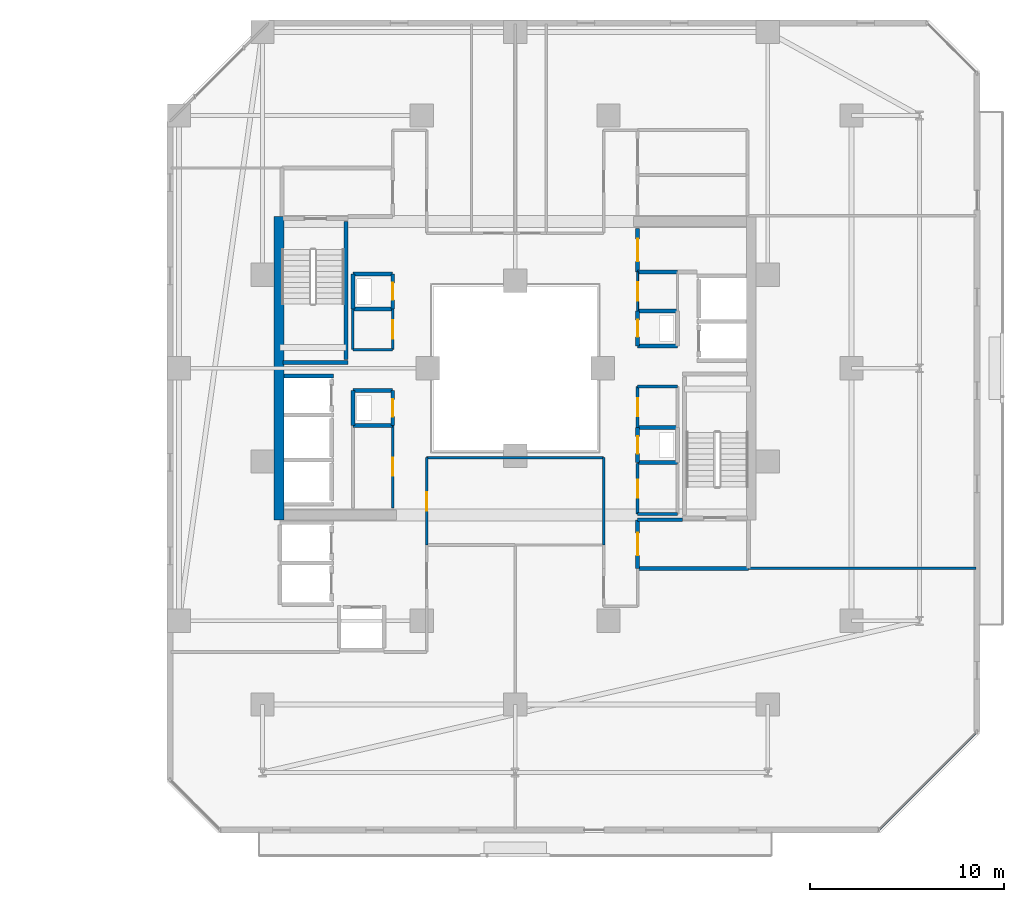
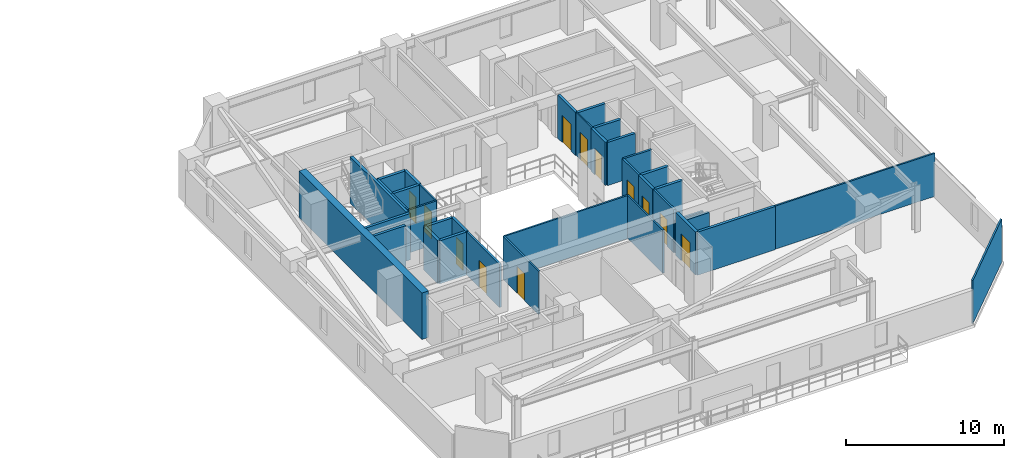
# One storey, part 23 of 33: 37 walls, 12 doors, 12 openings.
"""IFC4 building model written with IfcOpenShell, lengths in metres."""

import ifcopenshell
import ifcopenshell.guid

model = None  # the IFC model being written
_history = None  # IfcOwnerHistory: only IFC2X3 demands one
_inside = {}  # id of a spatial element -> (the spatial element, [elements in it])
_under = {}  # id of a project, library or spatial element -> (it, [spatial elements below it])
_declared = {}  # id of a project -> (the project, [libraries it declares])
_typed = {}  # id of a type object -> (the type object, [elements of that type])
_made_of = {}  # id of a material, layer set ... -> (it, [elements and type objects made of it])


def new_model(schema):
    """Start an empty IFC model of exactly this schema.

    Asked for "IFC4X3", IfcOpenShell would pick the latest addendum, in which some entities
    have other attributes; the version numbers below select the first issue.
    IFC2X3 requires an IfcOwnerHistory on every rooted entity: one is made here for all.
    """
    global model, _history
    if schema == "IFC4X3":
        model = ifcopenshell.file(schema_version=(4, 3, 0, 0))
    else:
        model = ifcopenshell.file(schema=schema)
    _inside.clear()
    _under.clear()
    _declared.clear()
    _typed.clear()
    _made_of.clear()
    _history = None
    if model.schema == "IFC2X3":
        org = make("IfcOrganization", Name="unknown")
        user = make(
            "IfcPersonAndOrganization",
            ThePerson=make("IfcPerson", FamilyName="unknown"),
            TheOrganization=org,
        )
        app = make(
            "IfcApplication",
            ApplicationDeveloper=org,
            Version="unknown",
            ApplicationFullName="unknown",
            ApplicationIdentifier="unknown",
        )
        _history = make(
            "IfcOwnerHistory",
            OwningUser=user,
            OwningApplication=app,
            ChangeAction="ADDED",
            CreationDate=0,
        )
    return model


def make(cls, **values):
    """One entity of the class cls with the attributes given. An attribute that is None is left unset."""
    return model.create_entity(
        cls, **{name: value for name, value in values.items() if value is not None}
    )


def rooted(cls, **values):
    """An entity with a GlobalId (a new one), such as an element, a storey or a relation."""
    return make(cls, GlobalId=ifcopenshell.guid.new(), OwnerHistory=_history, **values)


def si_unit(unit_type, name, prefix=None):
    """IfcSIUnit, for example si_unit("LENGTHUNIT", "METRE", prefix="MILLI")."""
    return make("IfcSIUnit", UnitType=unit_type, Prefix=prefix, Name=name)


def assignment(units):
    """IfcUnitAssignment: the units of a project."""
    return None if units is None else make("IfcUnitAssignment", Units=units)


def point(xyz):
    """IfcCartesianPoint."""
    return None if xyz is None else make("IfcCartesianPoint", Coordinates=xyz)


def direction(xyz):
    """IfcDirection."""
    return None if xyz is None else make("IfcDirection", DirectionRatios=xyz)


def frame(location, z_axis=None, x_axis=None):
    """IfcAxis2Placement3D, a coordinate frame: its origin and axes. An axis left out is left unset."""
    return make(
        "IfcAxis2Placement3D",
        Location=point(location),
        Axis=direction(z_axis),
        RefDirection=direction(x_axis),
    )


def frame_2d(location, x_axis=None):
    """IfcAxis2Placement2D, a coordinate frame in the plane: its origin and x axis."""
    return make(
        "IfcAxis2Placement2D", Location=point(location), RefDirection=direction(x_axis)
    )


def origin():
    """The frame at (0, 0, 0) with its axes left unset."""
    return frame((0.0, 0.0, 0.0))


def place(relative_to, where):
    """IfcLocalPlacement: puts the frame where relative to a parent placement (None: the world)."""
    return make(
        "IfcLocalPlacement", PlacementRelTo=relative_to, RelativePlacement=where
    )


def context(
    kind, dimensions, precision=None, world=None, true_north=None, identifier=None
):
    """IfcGeometricRepresentationContext, for example the 3D "Model" context."""
    return make(
        "IfcGeometricRepresentationContext",
        ContextIdentifier=identifier,
        ContextType=kind,
        CoordinateSpaceDimension=dimensions,
        Precision=precision,
        WorldCoordinateSystem=world,
        TrueNorth=true_north,
    )


def subcontext(parent, identifier, kind, view, scale=None):
    """IfcGeometricRepresentationSubContext, for example "Body" below "Model"."""
    return make(
        "IfcGeometricRepresentationSubContext",
        ContextIdentifier=identifier,
        ContextType=kind,
        ParentContext=parent,
        TargetScale=scale,
        TargetView=view,
    )


def project(units=None, contexts=None):
    """IfcProject with its units and contexts."""
    return rooted(
        "IfcProject",
        Name="project",
        RepresentationContexts=contexts,
        UnitsInContext=assignment(units),
    )


def spatial(cls, under=None, at=None, **own):
    """A site, building, storey or space (cls), placed at a placement, below another one or the project."""
    s = rooted(cls, ObjectPlacement=at, **own)
    if under is not None:
        _under.setdefault(under.id(), (under, []))[1].append(s)
    return s


def profile(cls, at=None, kind="AREA", **sizes):
    """A parametric profile (cls). Its sizes go by their IFC names, for example OverallWidth=200.0."""
    return make(cls, ProfileType=kind, Position=at, **sizes)


def rectangle(**sizes):
    """IfcRectangleProfileDef."""
    return profile("IfcRectangleProfileDef", **sizes)


def extrude(swept, where, along, depth):
    """IfcExtrudedAreaSolid: the profile swept, set in the frame where, extruded along a direction by depth."""
    return make(
        "IfcExtrudedAreaSolid",
        SweptArea=swept,
        Position=where,
        ExtrudedDirection=direction(along),
        Depth=depth,
    )


def shape(context_of_items, identifier, shape_type, items):
    """IfcShapeRepresentation: the items that make up one representation, for example the "Body"."""
    return make(
        "IfcShapeRepresentation",
        ContextOfItems=context_of_items,
        RepresentationIdentifier=identifier,
        RepresentationType=shape_type,
        Items=items,
    )


def material(Name=None, Category=None):
    """IfcMaterial."""
    return make("IfcMaterial", Name=Name, Category=Category)


def layer(
    of_material, thickness, ventilated=None, Name=None, Category=None, Priority=None
):
    """IfcMaterialLayer: one layer of a wall or slab, of a material (None: an air gap)."""
    return make(
        "IfcMaterialLayer",
        Material=of_material,
        LayerThickness=thickness,
        IsVentilated=ventilated,
        Name=Name,
        Category=Category,
        Priority=Priority,
    )


def layer_set(layers, Name=None):
    """IfcMaterialLayerSet."""
    return make("IfcMaterialLayerSet", MaterialLayers=layers, LayerSetName=Name)


def made_of(thing, what):
    """Note that an element or type object is made of a material, layer set ...; save() writes the relation."""
    if what is not None:
        _made_of.setdefault(what.id(), (what, []))[1].append(thing)
    return thing


def type_object(cls, material=None, **own):
    """A type object (cls), such as IfcWallType, which elements share."""
    return made_of(rooted(cls, **own), material)


def element(
    cls,
    number,
    at=None,
    inside=None,
    cuts=None,
    type_object=None,
    material=None,
    context=None,
    identifier="Body",
    shape_type=None,
    held_by="IfcProductDefinitionShape",
    body=None,
    shapes=None,
    **own,
):
    """One element of the class cls, such as IfcWall. Its Tag is "e" and its number.

    at: its placement. inside: the storey or other place that contains it. cuts: it is an
    opening in that element (IfcRelVoidsElement). A single representation is given by context,
    identifier, shape_type and body (its items); several are given by shapes. held_by: the class
    of the entity that holds the representations. save() writes the other relations.
    """
    e = rooted(cls, Tag="e%d" % number, ObjectPlacement=at, **own)
    if body is not None:
        shapes = [shape(context, identifier, shape_type, body)]
    if shapes is not None:
        e.Representation = make(held_by, Representations=shapes)
    if inside is not None:
        _inside.setdefault(inside.id(), (inside, []))[1].append(e)
    if cuts is not None:
        rooted(
            "IfcRelVoidsElement", RelatingBuildingElement=cuts, RelatedOpeningElement=e
        )
    if type_object is not None:
        _typed.setdefault(type_object.id(), (type_object, []))[1].append(e)
    return made_of(e, material)


def fill(opening, filler):
    """IfcRelFillsElement: the door or window that sits in an opening."""
    return rooted(
        "IfcRelFillsElement",
        RelatingOpeningElement=opening,
        RelatedBuildingElement=filler,
    )


def aggregate(whole, parts):
    """IfcRelAggregates: a whole, such as a stair, and the parts it consists of."""
    return rooted("IfcRelAggregates", RelatingObject=whole, RelatedObjects=parts)


def save(model, path):
    """Write the relations noted so far, then the file.

    IfcRelAggregates (storeys below a building ...), IfcRelContainedInSpatialStructure (elements
    in a storey), IfcRelDefinesByType, IfcRelAssociatesMaterial and IfcRelDeclares: one each for
    every whole, place, type object, material and project.
    """
    for whole, parts in _under.values():
        aggregate(whole, parts)
    for where, things in _inside.values():
        rooted(
            "IfcRelContainedInSpatialStructure",
            RelatedElements=things,
            RelatingStructure=where,
        )
    for kind, things in _typed.values():
        rooted("IfcRelDefinesByType", RelatedObjects=things, RelatingType=kind)
    for what, things in _made_of.values():
        rooted("IfcRelAssociatesMaterial", RelatedObjects=things, RelatingMaterial=what)
    for by, libraries in _declared.values():
        rooted("IfcRelDeclares", RelatingContext=by, RelatedDefinitions=libraries)
    model.write(path)


model = new_model("IFC4")

# Units and contexts
model_context = context("Model", 3, precision=1e-05, world=origin(), true_north=direction((0.0, 1.0)))
body_context = subcontext(model_context, "Body", "Model", "MODEL_VIEW")
ifc_project = project(units=[si_unit("LENGTHUNIT", "METRE"), si_unit("AREAUNIT", "SQUARE_METRE"), si_unit("VOLUMEUNIT", "CUBIC_METRE"), si_unit("PLANEANGLEUNIT", "RADIAN"), si_unit("MASSUNIT", "GRAM", prefix="KILO")], contexts=[model_context])

# Site, building, storey
site_placement = place(None, origin())
site = spatial("IfcSite", under=ifc_project, at=site_placement, CompositionType="ELEMENT")
building_placement = place(site_placement, origin())
building = spatial("IfcBuilding", under=site, at=building_placement, Name="Thornwick Lancets Civic Towers", CompositionType="ELEMENT")
storey_placement = place(building_placement, frame((0.0, 0.0, 134.10009765625)))
storey = spatial("IfcBuildingStorey", under=building, at=storey_placement, Name="L35", CompositionType="ELEMENT", Elevation=134.10009765625)

# Walls
ifc_material_1 = material(Name="Concrete blockwork C40/50", Category="masonry")
ifc_layer_1 = layer(ifc_material_1, 0.199951171875, Name="Concrete blockwork C40/50")
ifc_layer_set_1 = layer_set([ifc_layer_1], Name="Concrete blockwork C40/50")
wall_type_1 = type_object("IfcWallType", Name="WALL_COMP_200", PredefinedType="STANDARD", material=ifc_layer_set_1)
wall_1_placement = place(storey_placement, frame((76.612060546875, 26.60009765625, 0.0), z_axis=(0.0, 0.0, 1.0), x_axis=(1.0, 0.0, 0.0)))
element("IfcWall", 1, at=wall_1_placement, inside=storey, type_object=wall_type_1, Name="L35 Hoistway Shaft Wall FL-B2 N", PredefinedType="STANDARD", context=body_context, shape_type="SweptSolid", body=[
    extrude(rectangle(XDim=2.535888671875, YDim=0.199951171875, at=frame_2d((1.26806640625, 0.0))), origin(), (0.0, 0.0, 1.0), 3.33984375),
])
wall_2_placement = place(storey_placement, frame((94.800048828125, 16.699951171875, 0.0), z_axis=(0.0, 0.0, 1.0), x_axis=(1.0, 0.0, 0.0)))
element("IfcWall", 2, at=wall_2_placement, inside=storey, type_object=wall_type_1, Name="L35 Partition L35-B-FFLOB1 E1", PredefinedType="STANDARD", context=body_context, shape_type="SweptSolid", body=[
    extrude(rectangle(XDim=5.699951171875, YDim=0.199951171875, at=frame_2d((2.85009765625, 0.0))), origin(), (0.0, 0.0, 1.0), 3.33984375),
])
wall_3_placement = place(storey_placement, frame((97.10009765625, 19.199951171875, 0.0), z_axis=(0.0, 0.0, 1.0), x_axis=(-1.0, 0.0, 0.0)))
element("IfcWall", 3, at=wall_3_placement, inside=storey, type_object=wall_type_1, Name="L35 Partition L35-B-FFLOB1 E3", PredefinedType="STANDARD", context=body_context, shape_type="SweptSolid", body=[
    extrude(rectangle(XDim=2.300048828125, YDim=0.199951171875, at=frame_2d((1.14990234375, 0.0))), origin(), (0.0, 0.0, 1.0), 2.544921875),
])

# Wall, opening, door
wall_4_placement = place(storey_placement, frame((94.800048828125, 19.199951171875, 0.0), z_axis=(0.0, 0.0, 1.0), x_axis=(0.0, -1.0, 0.0)))
wall_4 = element("IfcWall", 4, at=wall_4_placement, inside=storey, type_object=wall_type_1, Name="L35 Partition L35-B-FFLOB1 E4", PredefinedType="STANDARD", context=body_context, shape_type="SweptSolid", body=[
    extrude(rectangle(XDim=2.5, YDim=0.199951171875, at=frame_2d((1.25, 0.0))), origin(), (0.0, 0.0, 1.0), 3.33984375),
])
opening_1_placement = place(wall_4_placement, frame((0.675048828125, 0.0, 0.0)))
opening_1 = element("IfcOpeningElement", 5, at=opening_1_placement, cuts=wall_4, Name="Opening D-L35-1587", PredefinedType="OPENING", context=body_context, shape_type="SweptSolid", body=[
    extrude(rectangle(XDim=1.14990234375, YDim=2.10009765625, at=frame_2d((0.574951171875, 1.050048828125))), frame((0.0, 0.10986328125, 0.0), z_axis=(0.0, -1.0, 0.0), x_axis=(1.0, 0.0, 0.0)), (0.0, 0.0, 1.0), 0.219970703125),
])
ifc_material_2 = material(Name="Glazed fire-resisting steel", Category="steel")
door_type_1 = type_object("IfcDoorType", Name="DOOR_LOBBY_FD60", OperationType="NOTDEFINED", PredefinedType="DOOR", material=ifc_material_2)
door_1_placement = place(opening_1_placement, origin())
door_1 = element("IfcDoor", 6, at=door_1_placement, inside=storey, type_object=door_type_1, Name="L35 East Firefighting Lobby 1 Door", OperationType="SINGLE_SWING_RIGHT", OverallHeight=2.10009765625, OverallWidth=1.14990234375, PredefinedType="DOOR", context=body_context, shape_type="SweptSolid", body=[
    extrude(rectangle(XDim=1.14990234375, YDim=2.10009765625, at=frame_2d((0.574951171875, 1.050048828125))), frame((0.0, 0.02490234375, 0.0), z_axis=(0.0, -1.0, 0.0), x_axis=(1.0, 0.0, 0.0)), (0.0, 0.0, 1.0), 0.050048828125),
])
fill(opening_1, door_1)

# Walls
for number, where, z_axis, x_axis, name in (
    (7, (94.800048828125, 28.14990234375, 0.0), (0.0, 0.0, 1.0), (1.0, 0.0, 0.0), "L35 Partition L35-B-DUCT1 E1"),
    (8, (96.85009765625, 29.949951171875, 0.0), (0.0, 0.0, 1.0), (-1.0, 0.0, 0.0), "L35 Partition L35-B-DUCT1 E3"),
):
    element("IfcWall", number, at=place(storey_placement, frame(where, z_axis=z_axis, x_axis=x_axis)), inside=storey, type_object=wall_type_1, Name=name, PredefinedType="STANDARD", context=body_context, shape_type="SweptSolid", body=[
        extrude(rectangle(XDim=2.050048828125, YDim=0.199951171875, at=frame_2d((1.02490234375, 0.0))), origin(), (0.0, 0.0, 1.0), 3.33984375),
    ])

# Wall, opening, door
wall_5_placement = place(storey_placement, frame((94.800048828125, 29.949951171875, 0.0), z_axis=(0.0, 0.0, 1.0), x_axis=(0.0, -1.0, 0.0)))
wall_5 = element("IfcWall", 9, at=wall_5_placement, inside=storey, type_object=wall_type_1, Name="L35 Partition L35-B-DUCT1 E4", PredefinedType="STANDARD", context=body_context, shape_type="SweptSolid", body=[
    extrude(rectangle(XDim=1.800048828125, YDim=0.199951171875, at=frame_2d((0.89990234375, 0.0))), origin(), (0.0, 0.0, 1.0), 3.33984375),
])
opening_2_placement = place(wall_5_placement, frame((0.4599609375, 0.0, 0.0)))
opening_2 = element("IfcOpeningElement", 10, at=opening_2_placement, cuts=wall_5, Name="Opening D-L35-1589", PredefinedType="OPENING", context=body_context, shape_type="SweptSolid", body=[
    extrude(rectangle(XDim=0.8798828125, YDim=2.0400390625, at=frame_2d((0.43994140625, 1.02001953125))), frame((0.0, 0.10986328125, 0.0), z_axis=(0.0, -1.0, 0.0), x_axis=(1.0, 0.0, 0.0)), (0.0, 0.0, 1.0), 0.219970703125),
])
ifc_material_3 = material(Name="Steel riser access doorset", Category="steel")
door_type_2 = type_object("IfcDoorType", Name="DOOR_RISER_850", OperationType="NOTDEFINED", PredefinedType="DOOR", material=ifc_material_3)
door_2_placement = place(opening_2_placement, origin())
door_2 = element("IfcDoor", 11, at=door_2_placement, inside=storey, type_object=door_type_2, Name="L35 East Service Duct 1 Door", OperationType="SINGLE_SWING_RIGHT", OverallHeight=2.0400390625, OverallWidth=0.8798828125, PredefinedType="DOOR", context=body_context, shape_type="SweptSolid", body=[
    extrude(rectangle(XDim=0.8798828125, YDim=2.0400390625, at=frame_2d((0.43994140625, 1.02001953125))), frame((0.0, 0.02490234375, 0.0), z_axis=(0.0, -1.0, 0.0), x_axis=(1.0, 0.0, 0.0)), (0.0, 0.0, 1.0), 0.050048828125),
])
fill(opening_2, door_2)

# Walls
for number, where, z_axis, x_axis, name in (
    (12, (94.800048828125, 22.14990234375, 0.0), (0.0, 0.0, 1.0), (1.0, 0.0, 0.0), "L35 Partition L35-B-RISER1 E1"),
    (13, (96.85009765625, 23.949951171875, 0.0), (0.0, 0.0, 1.0), (-1.0, 0.0, 0.0), "L35 Partition L35-B-RISER1 E3"),
):
    element("IfcWall", number, at=place(storey_placement, frame(where, z_axis=z_axis, x_axis=x_axis)), inside=storey, type_object=wall_type_1, Name=name, PredefinedType="STANDARD", context=body_context, shape_type="SweptSolid", body=[
        extrude(rectangle(XDim=2.050048828125, YDim=0.199951171875, at=frame_2d((1.02490234375, 0.0))), origin(), (0.0, 0.0, 1.0), 3.33984375),
    ])

# Wall, opening, door
wall_6_placement = place(storey_placement, frame((94.800048828125, 23.949951171875, 0.0), z_axis=(0.0, 0.0, 1.0), x_axis=(0.0, -1.0, 0.0)))
wall_6 = element("IfcWall", 14, at=wall_6_placement, inside=storey, type_object=wall_type_1, Name="L35 Partition L35-B-RISER1 E4", PredefinedType="STANDARD", context=body_context, shape_type="SweptSolid", body=[
    extrude(rectangle(XDim=1.800048828125, YDim=0.199951171875, at=frame_2d((0.89990234375, 0.0))), origin(), (0.0, 0.0, 1.0), 3.33984375),
])
opening_3_placement = place(wall_6_placement, frame((0.4599609375, 0.0, 0.0)))
opening_3 = element("IfcOpeningElement", 15, at=opening_3_placement, cuts=wall_6, Name="Opening D-L35-1590", PredefinedType="OPENING", context=body_context, shape_type="SweptSolid", body=[
    extrude(rectangle(XDim=0.8798828125, YDim=2.0400390625, at=frame_2d((0.43994140625, 1.02001953125))), frame((0.0, 0.10986328125, 0.0), z_axis=(0.0, -1.0, 0.0), x_axis=(1.0, 0.0, 0.0)), (0.0, 0.0, 1.0), 0.219970703125),
])
door_3_placement = place(opening_3_placement, origin())
door_3 = element("IfcDoor", 16, at=door_3_placement, inside=storey, type_object=door_type_2, Name="L35 East Electrical Riser 1 Door", OperationType="SINGLE_SWING_LEFT", OverallHeight=2.0400390625, OverallWidth=0.8798828125, PredefinedType="DOOR", context=body_context, shape_type="SweptSolid", body=[
    extrude(rectangle(XDim=0.8798828125, YDim=2.0400390625, at=frame_2d((0.43994140625, 1.02001953125))), frame((0.0, 0.02490234375, 0.0), z_axis=(0.0, -1.0, 0.0), x_axis=(1.0, 0.0, 0.0)), (0.0, 0.0, 1.0), 0.050048828125),
])
fill(opening_3, door_3)

# Wall
wall_7_placement = place(storey_placement, frame((80.14990234375, 24.050048828125, 0.0), z_axis=(0.0, 0.0, 1.0), x_axis=(1.0, 0.0, 0.0)))
element("IfcWall", 17, at=wall_7_placement, inside=storey, type_object=wall_type_1, Name="L35 Partition L35-B-DUCT2 E1", PredefinedType="STANDARD", context=body_context, shape_type="SweptSolid", body=[
    extrude(rectangle(XDim=2.050048828125, YDim=0.199951171875, at=frame_2d((1.02490234375, 0.0))), origin(), (0.0, 0.0, 1.0), 3.33984375),
])

# Wall, opening, door
wall_8_placement = place(storey_placement, frame((82.199951171875, 24.050048828125, 0.0), z_axis=(0.0, 0.0, 1.0), x_axis=(0.0, 1.0, 0.0)))
wall_8 = element("IfcWall", 18, at=wall_8_placement, inside=storey, type_object=wall_type_1, Name="L35 Partition L35-B-DUCT2 E2", PredefinedType="STANDARD", context=body_context, shape_type="SweptSolid", body=[
    extrude(rectangle(XDim=1.800048828125, YDim=0.199951171875, at=frame_2d((0.89990234375, 0.0))), origin(), (0.0, 0.0, 1.0), 3.33984375),
])
opening_4_placement = place(wall_8_placement, frame((0.4599609375, 0.0, 0.0)))
opening_4 = element("IfcOpeningElement", 19, at=opening_4_placement, cuts=wall_8, Name="Opening D-L35-1591", PredefinedType="OPENING", context=body_context, shape_type="SweptSolid", body=[
    extrude(rectangle(XDim=0.8798828125, YDim=2.0400390625, at=frame_2d((0.43994140625, 1.02001953125))), frame((0.0, 0.10986328125, 0.0), z_axis=(0.0, -1.0, 0.0), x_axis=(1.0, 0.0, 0.0)), (0.0, 0.0, 1.0), 0.219970703125),
])
door_4_placement = place(opening_4_placement, origin())
door_4 = element("IfcDoor", 20, at=door_4_placement, inside=storey, type_object=door_type_2, Name="L35 West Service Duct 2 Door", OperationType="SINGLE_SWING_RIGHT", OverallHeight=2.0400390625, OverallWidth=0.8798828125, PredefinedType="DOOR", context=body_context, shape_type="SweptSolid", body=[
    extrude(rectangle(XDim=0.8798828125, YDim=2.0400390625, at=frame_2d((0.43994140625, 1.02001953125))), frame((0.0, 0.02490234375, 0.0), z_axis=(0.0, -1.0, 0.0), x_axis=(1.0, 0.0, 0.0)), (0.0, 0.0, 1.0), 0.050048828125),
])
fill(opening_4, door_4)

# Walls
wall_9_placement = place(storey_placement, frame((82.199951171875, 25.85009765625, 0.0), z_axis=(0.0, 0.0, 1.0), x_axis=(-1.0, 0.0, 0.0)))
element("IfcWall", 21, at=wall_9_placement, inside=storey, type_object=wall_type_1, Name="L35 Partition L35-B-DUCT2 E3", PredefinedType="STANDARD", context=body_context, shape_type="SweptSolid", body=[
    extrude(rectangle(XDim=2.050048828125, YDim=0.199951171875, at=frame_2d((1.02490234375, 0.0))), origin(), (0.0, 0.0, 1.0), 3.33984375),
])
wall_10_placement = place(storey_placement, frame((80.14990234375, 25.85009765625, 0.0), z_axis=(0.0, 0.0, 1.0), x_axis=(0.0, -1.0, 0.0)))
element("IfcWall", 22, at=wall_10_placement, inside=storey, type_object=wall_type_1, Name="L35 Partition L35-B-DUCT2 E4", PredefinedType="STANDARD", context=body_context, shape_type="SweptSolid", body=[
    extrude(rectangle(XDim=1.800048828125, YDim=0.199951171875, at=frame_2d((0.89990234375, 0.0))), origin(), (0.0, 0.0, 1.0), 3.33984375),
])
wall_11_placement = place(storey_placement, frame((80.14990234375, 30.050048828125, 0.0), z_axis=(0.0, 0.0, 1.0), x_axis=(1.0, 0.0, 0.0)))
element("IfcWall", 23, at=wall_11_placement, inside=storey, type_object=wall_type_1, Name="L35 Partition L35-B-RISER2 E1", PredefinedType="STANDARD", context=body_context, shape_type="SweptSolid", body=[
    extrude(rectangle(XDim=2.050048828125, YDim=0.199951171875, at=frame_2d((1.02490234375, 0.0))), origin(), (0.0, 0.0, 1.0), 3.33984375),
])

# Wall, opening, door
wall_12_placement = place(storey_placement, frame((82.199951171875, 30.050048828125, 0.0), z_axis=(0.0, 0.0, 1.0), x_axis=(0.0, 1.0, 0.0)))
wall_12 = element("IfcWall", 24, at=wall_12_placement, inside=storey, type_object=wall_type_1, Name="L35 Partition L35-B-RISER2 E2", PredefinedType="STANDARD", context=body_context, shape_type="SweptSolid", body=[
    extrude(rectangle(XDim=1.800048828125, YDim=0.199951171875, at=frame_2d((0.89990234375, 0.0))), origin(), (0.0, 0.0, 1.0), 3.33984375),
])
opening_5_placement = place(wall_12_placement, frame((0.4599609375, 0.0, 0.0)))
opening_5 = element("IfcOpeningElement", 25, at=opening_5_placement, cuts=wall_12, Name="Opening D-L35-1592", PredefinedType="OPENING", context=body_context, shape_type="SweptSolid", body=[
    extrude(rectangle(XDim=0.8798828125, YDim=2.0400390625, at=frame_2d((0.43994140625, 1.02001953125))), frame((0.0, 0.10986328125, 0.0), z_axis=(0.0, -1.0, 0.0), x_axis=(1.0, 0.0, 0.0)), (0.0, 0.0, 1.0), 0.219970703125),
])
door_5_placement = place(opening_5_placement, origin())
door_5 = element("IfcDoor", 26, at=door_5_placement, inside=storey, type_object=door_type_2, Name="L35 West Service Riser 2 Door", OperationType="SINGLE_SWING_LEFT", OverallHeight=2.0400390625, OverallWidth=0.8798828125, PredefinedType="DOOR", context=body_context, shape_type="SweptSolid", body=[
    extrude(rectangle(XDim=0.8798828125, YDim=2.0400390625, at=frame_2d((0.43994140625, 1.02001953125))), frame((0.0, 0.02490234375, 0.0), z_axis=(0.0, -1.0, 0.0), x_axis=(1.0, 0.0, 0.0)), (0.0, 0.0, 1.0), 0.050048828125),
])
fill(opening_5, door_5)

# Walls
wall_13_placement = place(storey_placement, frame((82.199951171875, 31.85009765625, 0.0), z_axis=(0.0, 0.0, 1.0), x_axis=(-1.0, 0.0, 0.0)))
element("IfcWall", 27, at=wall_13_placement, inside=storey, type_object=wall_type_1, Name="L35 Partition L35-B-RISER2 E3", PredefinedType="STANDARD", context=body_context, shape_type="SweptSolid", body=[
    extrude(rectangle(XDim=2.050048828125, YDim=0.199951171875, at=frame_2d((1.02490234375, 0.0))), origin(), (0.0, 0.0, 1.0), 3.33984375),
])
wall_14_placement = place(storey_placement, frame((80.14990234375, 31.85009765625, 0.0), z_axis=(0.0, 0.0, 1.0), x_axis=(0.0, -1.0, 0.0)))
element("IfcWall", 28, at=wall_14_placement, inside=storey, type_object=wall_type_1, Name="L35 Partition L35-B-RISER2 E4", PredefinedType="STANDARD", context=body_context, shape_type="SweptSolid", body=[
    extrude(rectangle(XDim=1.800048828125, YDim=0.199951171875, at=frame_2d((0.89990234375, 0.0))), origin(), (0.0, 0.0, 1.0), 3.33984375),
])

# Wall, opening, door
wall_15_placement = place(storey_placement, frame((94.800048828125, 31.949951171875, 0.0), z_axis=(0.0, 0.0, 1.0), x_axis=(0.0, 1.0, 0.0)))
wall_15 = element("IfcWall", 29, at=wall_15_placement, inside=storey, type_object=wall_type_1, Name="L35 Partition L35-B-ITR2 E1", PredefinedType="STANDARD", context=body_context, shape_type="SweptSolid", body=[
    extrude(rectangle(XDim=2.25, YDim=0.199951171875, at=frame_2d((1.125, 0.0))), origin(), (0.0, 0.0, 1.0), 3.33984375),
])
opening_6_placement = place(wall_15_placement, frame((0.550048828125, 0.0, 0.0)))
opening_6 = element("IfcOpeningElement", 30, at=opening_6_placement, cuts=wall_15, Name="Opening D-L35-1596", PredefinedType="OPENING", context=body_context, shape_type="SweptSolid", body=[
    extrude(rectangle(XDim=1.14990234375, YDim=2.10009765625, at=frame_2d((0.574951171875, 1.050048828125))), frame((0.0, 0.10986328125, 0.0), z_axis=(0.0, -1.0, 0.0), x_axis=(1.0, 0.0, 0.0)), (0.0, 0.0, 1.0), 0.219970703125),
])
door_6_placement = place(opening_6_placement, origin())
door_6 = element("IfcDoor", 31, at=door_6_placement, inside=storey, type_object=door_type_1, Name="L35 Tower B Statutory Core Archive Door", OperationType="SINGLE_SWING_LEFT", OverallHeight=2.10009765625, OverallWidth=1.14990234375, PredefinedType="DOOR", context=body_context, shape_type="SweptSolid", body=[
    extrude(rectangle(XDim=1.14990234375, YDim=2.10009765625, at=frame_2d((0.574951171875, 1.050048828125))), frame((0.0, 0.02490234375, 0.0), z_axis=(0.0, -1.0, 0.0), x_axis=(1.0, 0.0, 0.0)), (0.0, 0.0, 1.0), 0.050048828125),
])
fill(opening_6, door_6)

# Walls
wall_16_placement = place(storey_placement, frame((96.85009765625, 31.949951171875, 0.0), z_axis=(0.0, 0.0, 1.0), x_axis=(-1.0, 0.0, 0.0)))
element("IfcWall", 32, at=wall_16_placement, inside=storey, type_object=wall_type_1, Name="L35 Partition L35-B-ITR2 E5", PredefinedType="STANDARD", context=body_context, shape_type="SweptSolid", body=[
    extrude(rectangle(XDim=2.050048828125, YDim=0.199951171875, at=frame_2d((1.02490234375, 0.0))), origin(), (0.0, 0.0, 1.0), 3.33984375),
])
ifc_material_4 = material(Name="Concrete C50/60", Category="concrete")
ifc_layer_2 = layer(ifc_material_4, 0.5, Name="Concrete C50/60")
ifc_layer_set_2 = layer_set([ifc_layer_2], Name="Concrete C50/60")
wall_type_2 = type_object("IfcWallType", Name="WALL_CORE_500", PredefinedType="SHEAR", material=ifc_layer_set_2)
wall_17_placement = place(storey_placement, frame((76.35009765625, 19.199951171875, 0.0), z_axis=(0.0, 0.0, 1.0), x_axis=(0.0, 1.0, 0.0)))
element("IfcWall", 33, at=wall_17_placement, inside=storey, type_object=wall_type_2, Name="L35 Split Core B2 Shear Wall W", PredefinedType="SHEAR", context=body_context, shape_type="SweptSolid", body=[
    extrude(rectangle(XDim=15.60009765625, YDim=0.5, at=frame_2d((7.800048828125, 0.0))), origin(), (0.0, 0.0, 1.0), 3.599853515625),
])

# Wall, opening, door
ifc_material_5 = material(Name="Lightweight cellular office partition")
ifc_layer_3 = layer(ifc_material_5, 0.10009765625, Name="Lightweight cellular office partition")
ifc_layer_set_3 = layer_set([ifc_layer_3], Name="Lightweight cellular office partition")
wall_type_3 = type_object("IfcWallType", Name="WALL_PART_100", PredefinedType="PARTITIONING", material=ifc_layer_set_3)
wall_18_placement = place(storey_placement, frame((94.800048828125, 29.949951171875, 0.0), z_axis=(0.0, 0.0, 1.0), x_axis=(0.0, 1.0, 0.0)))
wall_18 = element("IfcWall", 34, at=wall_18_placement, inside=storey, type_object=wall_type_3, Name="L35 Partition L35-B-CLN E1", PredefinedType="PARTITIONING", context=body_context, shape_type="SweptSolid", body=[
    extrude(rectangle(XDim=2.0, YDim=0.10009765625, at=frame_2d((1.0, 0.0))), origin(), (0.0, 0.0, 1.0), 3.33984375),
])
opening_7_placement = place(wall_18_placement, frame((0.52490234375, 0.0, 0.0)))
opening_7 = element("IfcOpeningElement", 35, at=opening_7_placement, cuts=wall_18, Name="Opening D-L35-1595", PredefinedType="OPENING", context=body_context, shape_type="SweptSolid", body=[
    extrude(rectangle(XDim=0.949951171875, YDim=2.10009765625, at=frame_2d((0.47509765625, 1.050048828125))), frame((0.0, 0.06005859375, 0.0), z_axis=(0.0, -1.0, 0.0), x_axis=(1.0, 0.0, 0.0)), (0.0, 0.0, 1.0), 0.1201171875),
])
ifc_material_6 = material(Name="European oak acoustic doorset")
door_type_3 = type_object("IfcDoorType", Name="DOOR_OFFICE_950", OperationType="NOTDEFINED", PredefinedType="DOOR", material=ifc_material_6)
door_7_placement = place(opening_7_placement, origin())
door_7 = element("IfcDoor", 36, at=door_7_placement, inside=storey, type_object=door_type_3, Name="L35 Tower B Cleaners Store Door", OperationType="SINGLE_SWING_RIGHT", OverallHeight=2.10009765625, OverallWidth=0.949951171875, PredefinedType="DOOR", context=body_context, shape_type="SweptSolid", body=[
    extrude(rectangle(XDim=0.949951171875, YDim=2.10009765625, at=frame_2d((0.47509765625, 1.050048828125))), frame((0.0, 0.02490234375, 0.0), z_axis=(0.0, -1.0, 0.0), x_axis=(1.0, 0.0, 0.0)), (0.0, 0.0, 1.0), 0.050048828125),
])
fill(opening_7, door_7)

# Walls
ifc_material_7 = material(Name="Acoustic gypsum board partition")
ifc_layer_4 = layer(ifc_material_7, 0.1201171875, Name="Acoustic gypsum board partition")
ifc_layer_set_4 = layer_set([ifc_layer_4], Name="Acoustic gypsum board partition")
wall_type_4 = type_object("IfcWallType", Name="WALL_PART_120", PredefinedType="PARTITIONING", material=ifc_layer_set_4)
wall_19_placement = place(storey_placement, frame((82.199951171875, 27.949951171875, 0.0), z_axis=(0.0, 0.0, 1.0), x_axis=(-1.0, 0.0, 0.0)))
element("IfcWall", 37, at=wall_19_placement, inside=storey, type_object=wall_type_4, Name="L35 Partition L35-B-ITR E1", PredefinedType="PARTITIONING", context=body_context, shape_type="SweptSolid", body=[
    extrude(rectangle(XDim=2.050048828125, YDim=0.1201171875, at=frame_2d((1.02490234375, 0.0))), origin(), (0.0, 0.0, 1.0), 3.33984375),
])
wall_20_placement = place(storey_placement, frame((80.14990234375, 27.949951171875, 0.0), z_axis=(0.0, 0.0, 1.0), x_axis=(0.0, 1.0, 0.0)))
element("IfcWall", 38, at=wall_20_placement, inside=storey, type_object=wall_type_4, Name="L35 Partition L35-B-ITR E2", PredefinedType="PARTITIONING", context=body_context, shape_type="SweptSolid", body=[
    extrude(rectangle(XDim=2.10009765625, YDim=0.1201171875, at=frame_2d((1.050048828125, 0.0))), origin(), (0.0, 0.0, 1.0), 3.33984375),
])

# Wall, opening, door
wall_21_placement = place(storey_placement, frame((82.199951171875, 30.050048828125, 0.0), z_axis=(0.0, 0.0, 1.0), x_axis=(0.0, -1.0, 0.0)))
wall_21 = element("IfcWall", 39, at=wall_21_placement, inside=storey, type_object=wall_type_4, Name="L35 Partition L35-B-ITR E4", PredefinedType="PARTITIONING", context=body_context, shape_type="SweptSolid", body=[
    extrude(rectangle(XDim=2.10009765625, YDim=0.1201171875, at=frame_2d((1.050048828125, 0.0))), origin(), (0.0, 0.0, 1.0), 3.33984375),
])
opening_8_placement = place(wall_21_placement, frame((0.574951171875, 0.0, 0.0)))
opening_8 = element("IfcOpeningElement", 40, at=opening_8_placement, cuts=wall_21, Name="Opening D-L35-1598", PredefinedType="OPENING", context=body_context, shape_type="SweptSolid", body=[
    extrude(rectangle(XDim=0.949951171875, YDim=2.10009765625, at=frame_2d((0.47509765625, 1.050048828125))), frame((0.0, 0.070068359375, 0.0), z_axis=(0.0, -1.0, 0.0), x_axis=(1.0, 0.0, 0.0)), (0.0, 0.0, 1.0), 0.14013671875),
])
door_8_placement = place(opening_8_placement, origin())
door_8 = element("IfcDoor", 41, at=door_8_placement, inside=storey, type_object=door_type_3, Name="L35 Tower B Comms Patch Room Door", OperationType="SINGLE_SWING_LEFT", OverallHeight=2.10009765625, OverallWidth=0.949951171875, PredefinedType="DOOR", context=body_context, shape_type="SweptSolid", body=[
    extrude(rectangle(XDim=0.949951171875, YDim=2.10009765625, at=frame_2d((0.47509765625, 1.050048828125))), frame((0.0, 0.02490234375, 0.0), z_axis=(0.0, -1.0, 0.0), x_axis=(1.0, 0.0, 0.0)), (0.0, 0.0, 1.0), 0.050048828125),
])
fill(opening_8, door_8)

# Walls
wall_22_placement = place(storey_placement, frame((100.5, 16.699951171875, 0.0), z_axis=(0.0, 0.0, 1.0), x_axis=(1.0, 0.0, 0.0)))
element("IfcWall", 42, at=wall_22_placement, inside=storey, type_object=wall_type_4, Name="L35 Partition L35-B-W1 E9", PredefinedType="PARTITIONING", context=body_context, shape_type="SweptSolid", body=[
    extrude(rectangle(XDim=11.719970703125, YDim=0.1201171875, at=frame_2d((5.85986328125, 0.0))), origin(), (0.0, 0.0, 1.0), 3.33984375),
])
wall_23_placement = place(storey_placement, frame((112.219970703125, 8.2666015625, 0.0), z_axis=(0.0, 0.0, 1.0), x_axis=(-0.707106781187, -0.707106781187, 0.0)))
element("IfcWall", 43, at=wall_23_placement, inside=storey, type_object=wall_type_4, Name="L35 Partition L35-B-W1 E11", PredefinedType="PARTITIONING", context=body_context, shape_type="SweptSolid", body=[
    extrude(rectangle(XDim=7.052001953125, YDim=0.1201171875, at=frame_2d((3.52587890625, 0.0))), origin(), (0.0, 0.0, 1.0), 3.33984375),
])

# Wall, opening, door
wall_24_placement = place(storey_placement, frame((83.949951171875, 17.89990234375, 0.0), z_axis=(0.0, 0.0, 1.0), x_axis=(0.0, 1.0, 0.0)))
wall_24 = element("IfcWall", 44, at=wall_24_placement, inside=storey, type_object=wall_type_4, Name="L35 Partition L35-B-W3 E1", PredefinedType="PARTITIONING", context=body_context, shape_type="SweptSolid", body=[
    extrude(rectangle(XDim=4.5, YDim=0.1201171875, at=frame_2d((2.25, 0.0))), origin(), (0.0, 0.0, 1.0), 3.33984375),
])
opening_9_placement = place(wall_24_placement, frame((1.77490234375, 0.0, 0.0)))
opening_9 = element("IfcOpeningElement", 45, at=opening_9_placement, cuts=wall_24, Name="Opening D-L35-1612", PredefinedType="OPENING", context=body_context, shape_type="SweptSolid", body=[
    extrude(rectangle(XDim=0.949951171875, YDim=2.10009765625, at=frame_2d((0.47509765625, 1.050048828125))), frame((0.0, 0.070068359375, 0.0), z_axis=(0.0, -1.0, 0.0), x_axis=(1.0, 0.0, 0.0)), (0.0, 0.0, 1.0), 0.14013671875),
])
door_9_placement = place(opening_9_placement, origin())
door_9 = element("IfcDoor", 46, at=door_9_placement, inside=storey, type_object=door_type_3, Name="L35 Tower B West Atrium Reading Lounge Door", OperationType="SINGLE_SWING_LEFT", OverallHeight=2.10009765625, OverallWidth=0.949951171875, PredefinedType="DOOR", context=body_context, shape_type="SweptSolid", body=[
    extrude(rectangle(XDim=0.949951171875, YDim=2.10009765625, at=frame_2d((0.47509765625, 1.050048828125))), frame((0.0, 0.02490234375, 0.0), z_axis=(0.0, -1.0, 0.0), x_axis=(1.0, 0.0, 0.0)), (0.0, 0.0, 1.0), 0.050048828125),
])
fill(opening_9, door_9)

# Walls
wall_25_placement = place(storey_placement, frame((83.949951171875, 22.39990234375, 0.0), z_axis=(0.0, 0.0, 1.0), x_axis=(1.0, 0.0, 0.0)))
element("IfcWall", 47, at=wall_25_placement, inside=storey, type_object=wall_type_4, Name="L35 Partition L35-B-W3 E2", PredefinedType="PARTITIONING", context=body_context, shape_type="SweptSolid", body=[
    extrude(rectangle(XDim=9.10009765625, YDim=0.1201171875, at=frame_2d((4.550048828125, 0.0))), origin(), (0.0, 0.0, 1.0), 3.33984375),
])
wall_26_placement = place(storey_placement, frame((93.050048828125, 22.39990234375, 0.0), z_axis=(0.0, 0.0, 1.0), x_axis=(0.0, -1.0, 0.0)))
element("IfcWall", 48, at=wall_26_placement, inside=storey, type_object=wall_type_4, Name="L35 Partition L35-B-W3 E3", PredefinedType="PARTITIONING", context=body_context, shape_type="SweptSolid", body=[
    extrude(rectangle(XDim=4.5, YDim=0.1201171875, at=frame_2d((2.25, 0.0))), origin(), (0.0, 0.0, 1.0), 3.33984375),
])
ifc_material_8 = material(Name="Twin-stud acoustic gypsum board")
ifc_layer_5 = layer(ifc_material_8, 0.14990234375, Name="Twin-stud acoustic gypsum board")
ifc_layer_set_5 = layer_set([ifc_layer_5], Name="Twin-stud acoustic gypsum board")
wall_type_5 = type_object("IfcWallType", Name="WALL_PART_150", PredefinedType="PARTITIONING", material=ifc_layer_set_5)
wall_27_placement = place(storey_placement, frame((94.800048828125, 19.5, 0.0), z_axis=(0.0, 0.0, 1.0), x_axis=(1.0, 0.0, 0.0)))
element("IfcWall", 49, at=wall_27_placement, inside=storey, type_object=wall_type_5, Name="L35 Partition L35-B-MWC E1", PredefinedType="PARTITIONING", context=body_context, shape_type="SweptSolid", body=[
    extrude(rectangle(XDim=2.050048828125, YDim=0.14990234375, at=frame_2d((1.02490234375, 0.0))), origin(), (0.0, 0.0, 1.0), 2.544921875),
])

# Wall, opening, door
wall_28_placement = place(storey_placement, frame((94.800048828125, 22.10009765625, 0.0), z_axis=(0.0, 0.0, 1.0), x_axis=(0.0, -1.0, 0.0)))
wall_28 = element("IfcWall", 50, at=wall_28_placement, inside=storey, type_object=wall_type_5, Name="L35 Partition L35-B-MWC E4", PredefinedType="PARTITIONING", context=body_context, shape_type="SweptSolid", body=[
    extrude(rectangle(XDim=2.60009765625, YDim=0.14990234375, at=frame_2d((1.300048828125, 0.0))), origin(), (0.0, 0.0, 1.0), 3.33984375),
])
opening_10_placement = place(wall_28_placement, frame((0.840087890625, 0.0, 0.0)))
opening_10 = element("IfcOpeningElement", 51, at=opening_10_placement, cuts=wall_28, Name="Opening D-L35-1593", PredefinedType="OPENING", context=body_context, shape_type="SweptSolid", body=[
    extrude(rectangle(XDim=0.919921875, YDim=2.080078125, at=frame_2d((0.4599609375, 1.0400390625))), frame((0.0, 0.0849609375, 0.0), z_axis=(0.0, -1.0, 0.0), x_axis=(1.0, 0.0, 0.0)), (0.0, 0.0, 1.0), 0.169921875),
])
ifc_material_9 = material(Name="Moisture-resistant oak doorset")
door_type_4 = type_object("IfcDoorType", Name="DOOR_WC_900", OperationType="NOTDEFINED", PredefinedType="DOOR", material=ifc_material_9)
door_10_placement = place(opening_10_placement, origin())
door_10 = element("IfcDoor", 52, at=door_10_placement, inside=storey, type_object=door_type_4, Name="L35 Tower B Male WC Door", OperationType="SINGLE_SWING_RIGHT", OverallHeight=2.080078125, OverallWidth=0.919921875, PredefinedType="DOOR", context=body_context, shape_type="SweptSolid", body=[
    extrude(rectangle(XDim=0.919921875, YDim=2.080078125, at=frame_2d((0.4599609375, 1.0400390625))), frame((0.0, 0.02490234375, 0.0), z_axis=(0.0, -1.0, 0.0), x_axis=(1.0, 0.0, 0.0)), (0.0, 0.0, 1.0), 0.050048828125),
])
fill(opening_10, door_10)

wall_29_placement = place(storey_placement, frame((94.800048828125, 23.949951171875, 0.0), z_axis=(0.0, 0.0, 1.0), x_axis=(0.0, 1.0, 0.0)))
wall_29 = element("IfcWall", 53, at=wall_29_placement, inside=storey, type_object=wall_type_5, Name="L35 Partition L35-B-AWC E1", PredefinedType="PARTITIONING", context=body_context, shape_type="SweptSolid", body=[
    extrude(rectangle(XDim=2.10009765625, YDim=0.14990234375, at=frame_2d((1.050048828125, 0.0))), origin(), (0.0, 0.0, 1.0), 3.33984375),
])
opening_11_placement = place(wall_29_placement, frame((0.590087890625, 0.0, 0.0)))
opening_11 = element("IfcOpeningElement", 54, at=opening_11_placement, cuts=wall_29, Name="Opening D-L35-1594", PredefinedType="OPENING", context=body_context, shape_type="SweptSolid", body=[
    extrude(rectangle(XDim=0.919921875, YDim=2.080078125, at=frame_2d((0.4599609375, 1.0400390625))), frame((0.0, 0.0849609375, 0.0), z_axis=(0.0, -1.0, 0.0), x_axis=(1.0, 0.0, 0.0)), (0.0, 0.0, 1.0), 0.169921875),
])
door_11_placement = place(opening_11_placement, origin())
door_11 = element("IfcDoor", 55, at=door_11_placement, inside=storey, type_object=door_type_4, Name="L35 Tower B Accessible WC Door", OperationType="SINGLE_SWING_LEFT", OverallHeight=2.080078125, OverallWidth=0.919921875, PredefinedType="DOOR", context=body_context, shape_type="SweptSolid", body=[
    extrude(rectangle(XDim=0.919921875, YDim=2.080078125, at=frame_2d((0.4599609375, 1.0400390625))), frame((0.0, 0.02490234375, 0.0), z_axis=(0.0, -1.0, 0.0), x_axis=(1.0, 0.0, 0.0)), (0.0, 0.0, 1.0), 0.050048828125),
])
fill(opening_11, door_11)

# Wall
wall_30_placement = place(storey_placement, frame((94.800048828125, 26.050048828125, 0.0), z_axis=(0.0, 0.0, 1.0), x_axis=(1.0, 0.0, 0.0)))
element("IfcWall", 56, at=wall_30_placement, inside=storey, type_object=wall_type_5, Name="L35 Partition L35-B-AWC E2", PredefinedType="PARTITIONING", context=body_context, shape_type="SweptSolid", body=[
    extrude(rectangle(XDim=2.050048828125, YDim=0.14990234375, at=frame_2d((1.02490234375, 0.0))), origin(), (0.0, 0.0, 1.0), 3.33984375),
])

# Wall, opening, door
wall_31_placement = place(storey_placement, frame((82.199951171875, 24.050048828125, 0.0), z_axis=(0.0, 0.0, 1.0), x_axis=(0.0, -1.0, 0.0)))
wall_31 = element("IfcWall", 57, at=wall_31_placement, inside=storey, type_object=wall_type_5, Name="L35 Partition L35-B-FWC E4", PredefinedType="PARTITIONING", context=body_context, shape_type="SweptSolid", body=[
    extrude(rectangle(XDim=4.25, YDim=0.14990234375, at=frame_2d((2.125, 0.0))), origin(), (0.0, 0.0, 1.0), 3.33984375),
])
opening_12_placement = place(wall_31_placement, frame((1.6650390625, 0.0, 0.0)))
opening_12 = element("IfcOpeningElement", 58, at=opening_12_placement, cuts=wall_31, Name="Opening D-L35-1597", PredefinedType="OPENING", context=body_context, shape_type="SweptSolid", body=[
    extrude(rectangle(XDim=0.919921875, YDim=2.080078125, at=frame_2d((0.4599609375, 1.0400390625))), frame((0.0, 0.0849609375, 0.0), z_axis=(0.0, -1.0, 0.0), x_axis=(1.0, 0.0, 0.0)), (0.0, 0.0, 1.0), 0.169921875),
])
door_12_placement = place(opening_12_placement, origin())
door_12 = element("IfcDoor", 59, at=door_12_placement, inside=storey, type_object=door_type_4, Name="L35 Tower B Female WC Door", OperationType="SINGLE_SWING_RIGHT", OverallHeight=2.080078125, OverallWidth=0.919921875, PredefinedType="DOOR", context=body_context, shape_type="SweptSolid", body=[
    extrude(rectangle(XDim=0.919921875, YDim=2.080078125, at=frame_2d((0.4599609375, 1.0400390625))), frame((0.0, 0.02490234375, 0.0), z_axis=(0.0, -1.0, 0.0), x_axis=(1.0, 0.0, 0.0)), (0.0, 0.0, 1.0), 0.050048828125),
])
fill(opening_12, door_12)

# Walls
ifc_material_10 = material(Name="Concrete C40/50", Category="concrete")
ifc_layer_6 = layer(ifc_material_10, 0.199951171875, Name="Concrete C40/50")
ifc_layer_set_6 = layer_set([ifc_layer_6], Name="Concrete C40/50")
wall_type_6 = type_object("IfcWallType", Name="WALL_SHAFT_200", PredefinedType="SHEAR", material=ifc_layer_set_6)
wall_32_placement = place(storey_placement, frame((79.89990234375, 27.300048828125, 0.0), z_axis=(0.0, 0.0, 1.0), x_axis=(-1.0, 0.0, 0.0)))
element("IfcWall", 60, at=wall_32_placement, inside=storey, type_object=wall_type_6, Name="L35 ST-B2 Fire Stair Core Wall FAR", PredefinedType="SHEAR", context=body_context, shape_type="SweptSolid", body=[
    extrude(rectangle(XDim=3.349853515625, YDim=0.199951171875, at=frame_2d((1.6748046875, 0.0))), origin(), (0.0, 0.0, 1.0), 3.599853515625),
])
wall_33_placement = place(storey_placement, frame((79.797119140625, 27.449951171875, 0.0), z_axis=(0.0, 0.0, 1.0), x_axis=(0.0, 1.0, 0.0)))
element("IfcWall", 61, at=wall_33_placement, inside=storey, type_object=wall_type_6, Name="L35 ST-B2 Fire Stair Core Wall RIGHT", PredefinedType="SHEAR", context=body_context, shape_type="SweptSolid", body=[
    extrude(rectangle(XDim=7.10009765625, YDim=0.199951171875, at=frame_2d((3.550048828125, 0.0))), origin(), (0.0, 0.0, 1.0), 3.599853515625),
])

save(model, "model.ifc")
